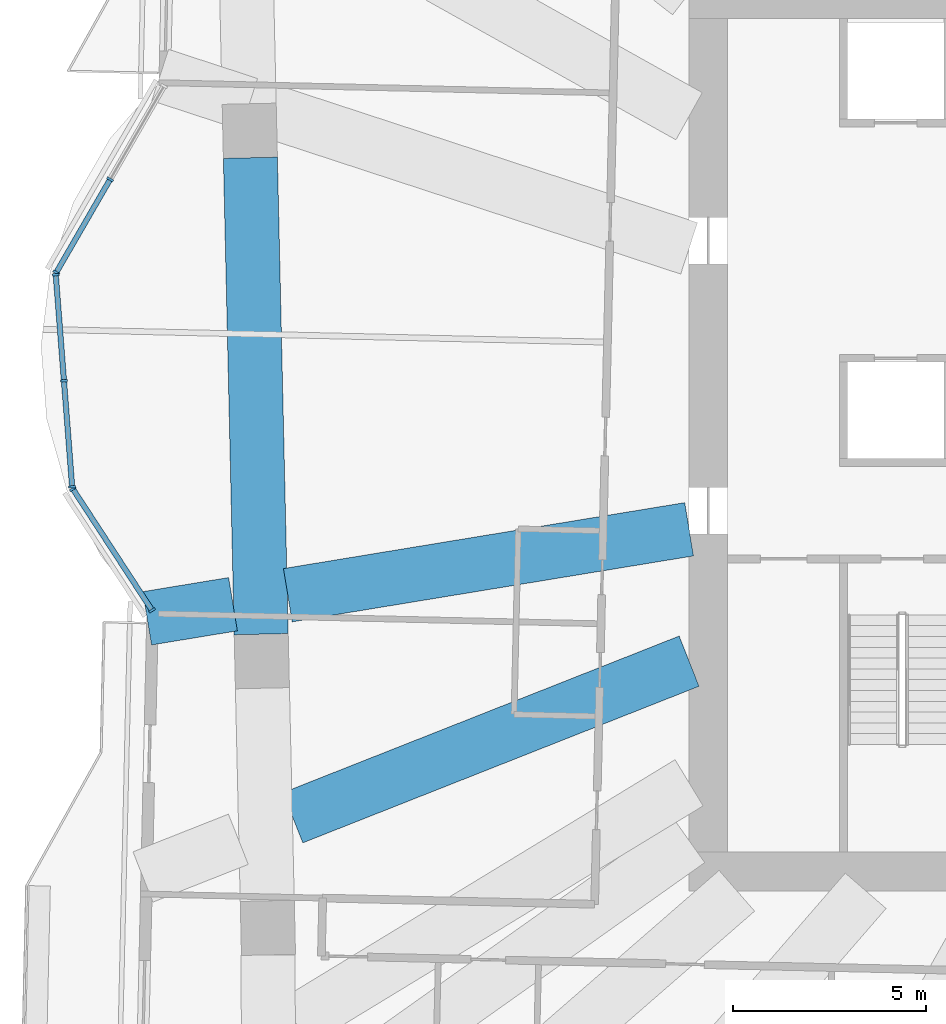
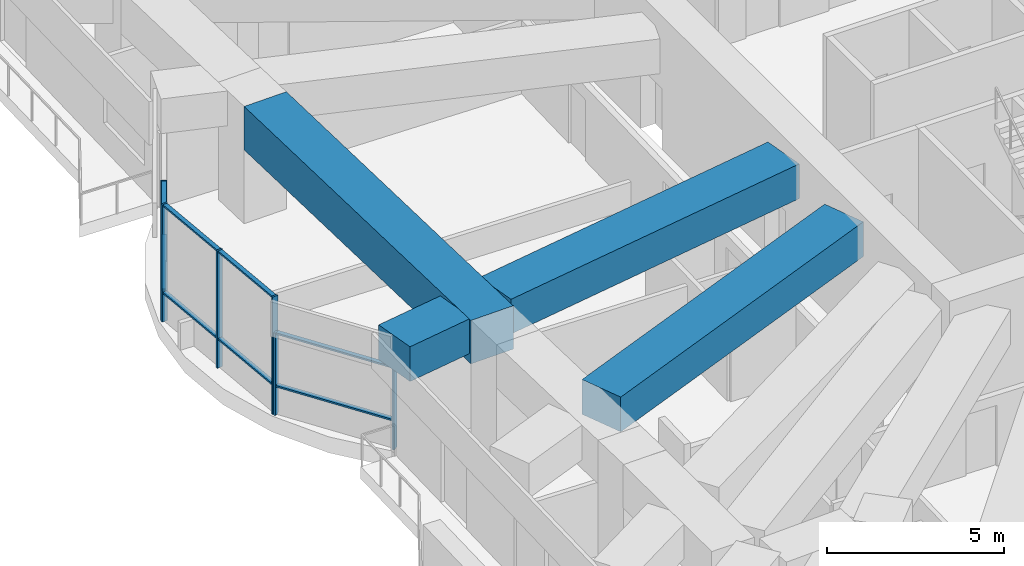
# One storey, part 2 of 20: 15 members, 4 beams, 3 elements without a shape of their own.
"""IFC4 building model written with IfcOpenShell, lengths in metres."""

from ifc_helpers import new_model, si_unit, direction, frame, origin, origin_2d, place, context, subcontext, project, spatial, rectangle, extrude, material, material_profile, profile_set, type_object, element, aggregate, save


model = new_model("IFC4")

# Units and contexts
model_context = context("Model", 3, precision=1e-05, world=origin(), true_north=direction((0.0, 1.0)))
body_context = subcontext(model_context, "Body", "Model", "MODEL_VIEW")
ifc_project = project(units=[si_unit("LENGTHUNIT", "METRE"), si_unit("AREAUNIT", "SQUARE_METRE"), si_unit("VOLUMEUNIT", "CUBIC_METRE"), si_unit("PLANEANGLEUNIT", "RADIAN"), si_unit("MASSUNIT", "GRAM", prefix="KILO")], contexts=[model_context])

# Site, building, storey
site_placement = place(None, origin())
site = spatial("IfcSite", under=ifc_project, at=site_placement, CompositionType="ELEMENT")
building_placement = place(site_placement, origin())
building = spatial("IfcBuilding", under=site, at=building_placement, Name="Mangrove Gate Tower", CompositionType="ELEMENT")
storey_placement = place(building_placement, frame((0.0, 0.0, 97.300048828125)))
storey = spatial("IfcBuildingStorey", under=building, at=storey_placement, Name="L24", CompositionType="ELEMENT", Elevation=97.300048828125)

# Curtain wall, members
ifc_material_1 = material(Name="Aluminium and glass curtain wall", Category="aluminium")
curtain_wall_type = type_object("IfcCurtainWallType", Name="Sky-lounge glazing wall", PredefinedType="NOTDEFINED", material=ifc_material_1)
curtain_wall_1_placement = place(storey_placement, origin())
curtain_wall_1 = element("IfcCurtainWall", 1, at=curtain_wall_1_placement, inside=storey, type_object=curtain_wall_type, Name="Sky-lounge glazing W9f1", PredefinedType="NOTDEFINED")
ifc_material_2 = material(Name="Aluminium alloy 6063-T6", Category="aluminium")
ifc_material_profile_1 = material_profile(ifc_material_2, rectangle(XDim=0.06005859375, YDim=0.179931640625, at=origin_2d()))
ifc_profile_set_1 = profile_set([ifc_material_profile_1], Name="Aluminium alloy 6063-T6")
member_type_1 = type_object("IfcMemberType", Name="Sky-lounge glazing mullion 60x180", PredefinedType="MULLION", material=ifc_profile_set_1)
member_1_placement = place(storey_placement, frame((-29.803955078125, 6.63818359375, 0.0), z_axis=(0.0, 0.0, 1.0), x_axis=(-0.500418160284, -0.865783844189, 0.0)))
member_1 = element("IfcMember", 2, at=member_1_placement, type_object=member_type_1, Name="CWK mullion 2", PredefinedType="MULLION", context=body_context, shape_type="SweptSolid", body=[
    extrude(rectangle(XDim=0.06005859375, YDim=0.179931640625, at=origin_2d()), origin(), (0.0, 0.0, 1.0), 2.849853515625),
])
member_2_placement = place(storey_placement, frame((-31.200439453125, 4.221923828125, 0.0), z_axis=(0.0, 0.0, 1.0), x_axis=(-0.500418160284, -0.865783844189, 0.0)))
member_2 = element("IfcMember", 3, at=member_2_placement, type_object=member_type_1, Name="CWK mullion 3", PredefinedType="MULLION", context=body_context, shape_type="SweptSolid", body=[
    extrude(rectangle(XDim=0.06005859375, YDim=0.179931640625, at=origin_2d()), origin(), (0.0, 0.0, 1.0), 2.849853515625),
])

curtain_wall_2_placement = place(storey_placement, origin())
curtain_wall_2 = element("IfcCurtainWall", 4, at=curtain_wall_2_placement, inside=storey, type_object=curtain_wall_type, Name="Sky-lounge glazing W9f2", PredefinedType="NOTDEFINED")
member_3_placement = place(storey_placement, frame((-31.213134765625, 4.166015625, 0.0), z_axis=(0.0, 0.0, 1.0), x_axis=(0.077023348229, -0.997029289353, 0.0)))
member_3 = element("IfcMember", 5, at=member_3_placement, type_object=member_type_1, Name="CWK mullion 1", PredefinedType="MULLION", context=body_context, shape_type="SweptSolid", body=[
    extrude(rectangle(XDim=0.06005859375, YDim=0.179931640625, at=origin_2d()), origin(), (0.0, 0.0, 1.0), 4.050048828125),
])
member_4_placement = place(storey_placement, frame((-31.0009765625, 1.41748046875, 0.0), z_axis=(0.0, 0.0, 1.0), x_axis=(0.077023348229, -0.997029289353, 0.0)))
member_4 = element("IfcMember", 6, at=member_4_placement, type_object=member_type_1, Name="CWK mullion 2", PredefinedType="MULLION", context=body_context, shape_type="SweptSolid", body=[
    extrude(rectangle(XDim=0.06005859375, YDim=0.179931640625, at=origin_2d()), origin(), (0.0, 0.0, 1.0), 4.050048828125),
])
member_5_placement = place(storey_placement, frame((-30.78857421875, -1.3310546875, 0.0), z_axis=(0.0, 0.0, 1.0), x_axis=(0.077023348229, -0.997029289353, 0.0)))
member_5 = element("IfcMember", 7, at=member_5_placement, type_object=member_type_1, Name="CWK mullion 3", PredefinedType="MULLION", context=body_context, shape_type="SweptSolid", body=[
    extrude(rectangle(XDim=0.06005859375, YDim=0.179931640625, at=origin_2d()), origin(), (0.0, 0.0, 1.0), 4.050048828125),
])

curtain_wall_3_placement = place(storey_placement, origin())
curtain_wall_3 = element("IfcCurtainWall", 8, at=curtain_wall_3_placement, inside=storey, type_object=curtain_wall_type, Name="Sky-lounge glazing W9f3", PredefinedType="NOTDEFINED")
member_6_placement = place(storey_placement, frame((-30.769775390625, -1.38623046875, 0.0), z_axis=(0.0, 0.0, 1.0), x_axis=(0.546235085235, -0.837631918959, 0.0)))
member_6 = element("IfcMember", 9, at=member_6_placement, type_object=member_type_1, Name="CWK mullion 1", PredefinedType="MULLION", context=body_context, shape_type="SweptSolid", body=[
    extrude(rectangle(XDim=0.06005859375, YDim=0.179931640625, at=origin_2d()), origin(), (0.0, 0.0, 1.0), 2.849853515625),
])
member_7_placement = place(storey_placement, frame((-28.71826171875, -4.5322265625, 0.0), z_axis=(0.0, 0.0, 1.0), x_axis=(0.546235085235, -0.837631918959, 0.0)))
member_7 = element("IfcMember", 10, at=member_7_placement, type_object=member_type_1, Name="CWK mullion 2", PredefinedType="MULLION", context=body_context, shape_type="SweptSolid", body=[
    extrude(rectangle(XDim=0.06005859375, YDim=0.179931640625, at=origin_2d()), origin(), (0.0, 0.0, 1.0), 2.849853515625),
])

# Member
ifc_material_3 = material(Name="Aluminium alloy 6063-T6", Category="aluminium")
ifc_material_profile_2 = material_profile(ifc_material_3, rectangle(XDim=0.06005859375, YDim=0.139892578125, at=origin_2d()))
ifc_profile_set_2 = profile_set([ifc_material_profile_2], Name="Aluminium alloy 6063-T6")
member_type_2 = type_object("IfcMemberType", Name="Sky-lounge glazing transom 60x140", PredefinedType="USERDEFINED", material=ifc_profile_set_2)
member_8_placement = place(storey_placement, frame((-29.81884765625, 6.6123046875, 1.0), z_axis=(-0.500426524989, -0.865779009382, 0.0), x_axis=(0.0, 0.0, 1.0)))
member_8 = element("IfcMember", 11, at=member_8_placement, type_object=member_type_2, Name="CWK transom 2.2", ObjectType="TRANSOM", PredefinedType="USERDEFINED", context=body_context, shape_type="SweptSolid", body=[
    extrude(rectangle(XDim=0.06005859375, YDim=0.139892578125, at=origin_2d()), origin(), (0.0, 0.0, 1.0), 2.73095703125),
])

member_9_placement = place(storey_placement, frame((-29.81884765625, 6.6123046875, 2.820068359375), z_axis=(-0.500426524989, -0.865779009382, 0.0), x_axis=(0.0, 0.0, 1.0)))
member_9 = element("IfcMember", 12, at=member_9_placement, type_object=member_type_2, Name="CWK transom 2.3", ObjectType="TRANSOM", PredefinedType="USERDEFINED", context=body_context, shape_type="SweptSolid", body=[
    extrude(rectangle(XDim=0.06005859375, YDim=0.139892578125, at=origin_2d()), origin(), (0.0, 0.0, 1.0), 2.73095703125),
])

aggregate(curtain_wall_1, [member_1, member_2, member_8, member_9])

member_10_placement = place(storey_placement, frame((-31.2109375, 4.135986328125, 1.0), z_axis=(0.077042645639, -0.997027798385, 0.0), x_axis=(0.0, 0.0, 1.0)))
member_10 = element("IfcMember", 13, at=member_10_placement, type_object=member_type_2, Name="CWK transom 1.2", ObjectType="TRANSOM", PredefinedType="USERDEFINED", context=body_context, shape_type="SweptSolid", body=[
    extrude(rectangle(XDim=0.06005859375, YDim=0.139892578125, at=origin_2d()), origin(), (0.0, 0.0, 1.0), 2.69677734375),
])

member_11_placement = place(storey_placement, frame((-31.2109375, 4.135986328125, 4.02001953125), z_axis=(0.077042645639, -0.997027798385, 0.0), x_axis=(0.0, 0.0, 1.0)))
member_11 = element("IfcMember", 14, at=member_11_placement, type_object=member_type_2, Name="CWK transom 1.3", ObjectType="TRANSOM", PredefinedType="USERDEFINED", context=body_context, shape_type="SweptSolid", body=[
    extrude(rectangle(XDim=0.06005859375, YDim=0.139892578125, at=origin_2d()), origin(), (0.0, 0.0, 1.0), 2.69677734375),
])

member_12_placement = place(storey_placement, frame((-30.99853515625, 1.387451171875, 1.0), z_axis=(0.077042645639, -0.997027798385, 0.0), x_axis=(0.0, 0.0, 1.0)))
member_12 = element("IfcMember", 15, at=member_12_placement, type_object=member_type_2, Name="CWK transom 2.2", ObjectType="TRANSOM", PredefinedType="USERDEFINED", context=body_context, shape_type="SweptSolid", body=[
    extrude(rectangle(XDim=0.06005859375, YDim=0.139892578125, at=origin_2d()), origin(), (0.0, 0.0, 1.0), 2.69677734375),
])

member_13_placement = place(storey_placement, frame((-30.99853515625, 1.387451171875, 4.02001953125), z_axis=(0.077042645639, -0.997027798385, 0.0), x_axis=(0.0, 0.0, 1.0)))
member_13 = element("IfcMember", 16, at=member_13_placement, type_object=member_type_2, Name="CWK transom 2.3", ObjectType="TRANSOM", PredefinedType="USERDEFINED", context=body_context, shape_type="SweptSolid", body=[
    extrude(rectangle(XDim=0.06005859375, YDim=0.139892578125, at=origin_2d()), origin(), (0.0, 0.0, 1.0), 2.69677734375),
])

aggregate(curtain_wall_2, [member_3, member_4, member_5, member_10, member_11, member_12, member_13])

member_14_placement = place(storey_placement, frame((-30.75341796875, -1.4111328125, 1.0), z_axis=(0.546211360714, -0.837647389674, 0.0), x_axis=(0.0, 0.0, 1.0)))
member_14 = element("IfcMember", 17, at=member_14_placement, type_object=member_type_2, Name="CWK transom 1.2", ObjectType="TRANSOM", PredefinedType="USERDEFINED", context=body_context, shape_type="SweptSolid", body=[
    extrude(rectangle(XDim=0.06005859375, YDim=0.139892578125, at=origin_2d()), origin(), (0.0, 0.0, 1.0), 3.696044921875),
])

member_15_placement = place(storey_placement, frame((-30.75341796875, -1.4111328125, 2.820068359375), z_axis=(0.546211360714, -0.837647389674, 0.0), x_axis=(0.0, 0.0, 1.0)))
member_15 = element("IfcMember", 18, at=member_15_placement, type_object=member_type_2, Name="CWK transom 1.3", ObjectType="TRANSOM", PredefinedType="USERDEFINED", context=body_context, shape_type="SweptSolid", body=[
    extrude(rectangle(XDim=0.06005859375, YDim=0.139892578125, at=origin_2d()), origin(), (0.0, 0.0, 1.0), 3.696044921875),
])

aggregate(curtain_wall_3, [member_6, member_7, member_14, member_15])

# Beams
ifc_material_4 = material(Name="Concrete C70/85", Category="concrete")
ifc_material_profile_3 = material_profile(ifc_material_4, rectangle(XDim=1.39990234375, YDim=1.199951171875, at=origin_2d()))
ifc_profile_set_3 = profile_set([ifc_material_profile_3], Name="Concrete C70/85")
beam_type_1 = type_object("IfcBeamType", Name="Transfer girder RC 1400x1200 C70/85", PredefinedType="BEAM", material=ifc_profile_set_3)
beam_1_placement = place(storey_placement, frame((-14.800048828125, -2.431396484375, 3.449951171875), z_axis=(-0.986774438695, -0.162099374267, 0.0), x_axis=(0.162099374267, -0.986774438695, 0.0)))
element("IfcBeam", 19, at=beam_1_placement, inside=storey, type_object=beam_type_1, Name="Transfer girder L24 00", PredefinedType="BEAM", context=body_context, shape_type="SweptSolid", body=[
    extrude(rectangle(XDim=1.39990234375, YDim=1.199951171875, at=origin_2d()), origin(), (0.0, 0.0, 1.0), 10.538330078125),
])
beam_2_placement = place(storey_placement, frame((-26.619873046875, -4.373046875, 3.449951171875), z_axis=(-0.986783404947, -0.162044783074, 0.0), x_axis=(0.162044783074, -0.986783404947, 0.0)))
element("IfcBeam", 20, at=beam_2_placement, inside=storey, type_object=beam_type_1, Name="Transfer cantilever girder L24 00", PredefinedType="BEAM", context=body_context, shape_type="SweptSolid", body=[
    extrude(rectangle(XDim=1.39990234375, YDim=1.199951171875, at=origin_2d()), origin(), (0.0, 0.0, 1.0), 2.25390625),
])
beam_3_placement = place(storey_placement, frame((-14.800048828125, -5.848876953125, 3.449951171875), z_axis=(-0.930007483041, -0.367540584817, 0.0), x_axis=(0.367540584817, -0.930007483041, 0.0)))
element("IfcBeam", 21, at=beam_3_placement, inside=storey, type_object=beam_type_1, Name="Transfer girder L24 01", PredefinedType="BEAM", context=body_context, shape_type="SweptSolid", body=[
    extrude(rectangle(XDim=1.39990234375, YDim=1.199951171875, at=origin_2d()), origin(), (0.0, 0.0, 1.0), 11.04052734375),
])
ifc_material_5 = material(Name="Concrete C70/85", Category="concrete")
ifc_material_profile_4 = material_profile(ifc_material_5, rectangle(XDim=1.39990234375, YDim=1.5, at=origin_2d()))
ifc_profile_set_4 = profile_set([ifc_material_profile_4], Name="Concrete C70/85")
beam_type_2 = type_object("IfcBeamType", Name="Transfer girder RC 1400x1500 C70/85", PredefinedType="BEAM", material=ifc_profile_set_4)
beam_4_placement = place(storey_placement, frame((-26.169189453125, 7.197021484375, 3.300048828125), z_axis=(0.022673359101, -0.99974292635, 0.0), x_axis=(0.99974292635, 0.022673359101, 0.0)))
element("IfcBeam", 22, at=beam_4_placement, inside=storey, type_object=beam_type_2, Name="Transfer ring girder L24 31", PredefinedType="BEAM", context=body_context, shape_type="SweptSolid", body=[
    extrude(rectangle(XDim=1.39990234375, YDim=1.5, at=origin_2d()), origin(), (0.0, 0.0, 1.0), 12.3505859375),
])

save(model, "model.ifc")
